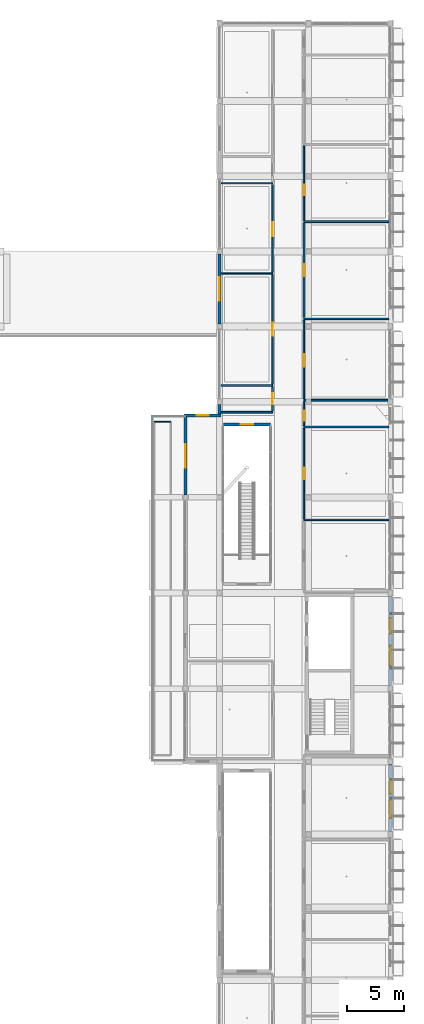
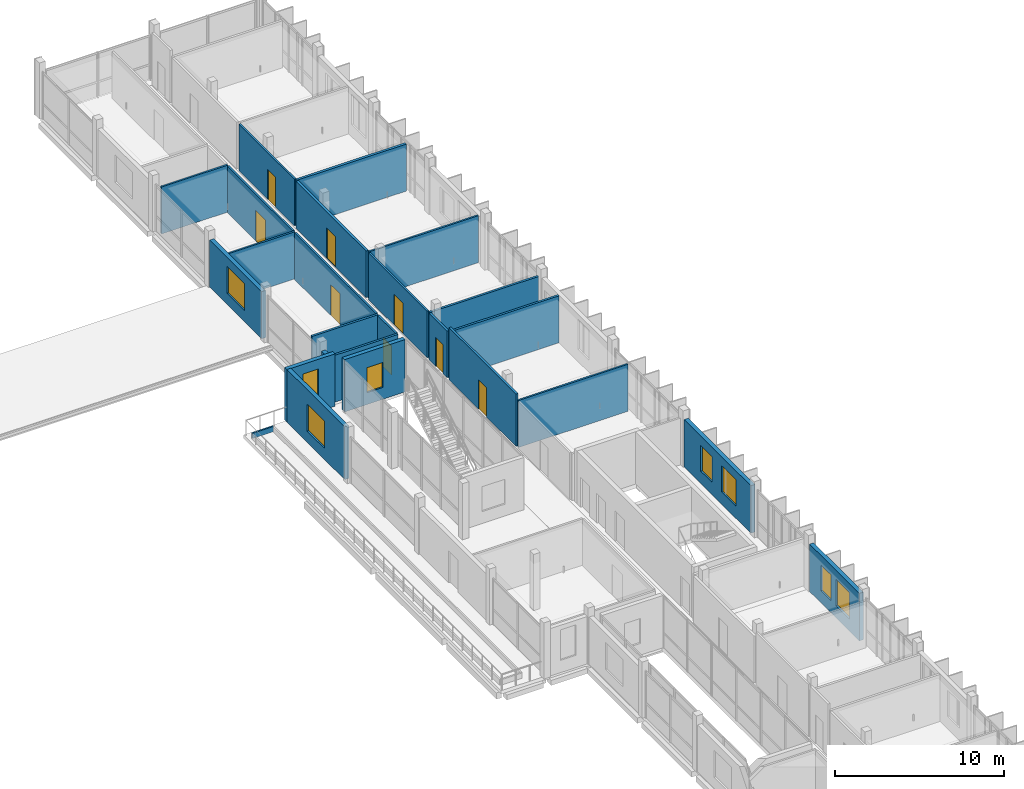
# One storey, part 61 of 86: 25 walls, 8 doors, 8 windows, 16 openings.
"""IFC4 building model written with IfcOpenShell, lengths in metres."""

from ifc_helpers import new_model, si_unit, derived_unit, direction, frame, frame_2d, origin, origin_with_axes, place, context, subcontext, project, spatial, rectangle, extrude, material, layer, layer_set, type_object, element, fill, save


model = new_model("IFC4")

# Units and contexts
model_context = context("Model", 3, precision=1e-05, world=origin(), true_north=direction((0.0, 1.0)))
body_context = subcontext(model_context, "Body", "Model", "MODEL_VIEW")
ifc_project = project(units=[si_unit("LENGTHUNIT", "METRE"), si_unit("AREAUNIT", "SQUARE_METRE"), si_unit("VOLUMEUNIT", "CUBIC_METRE"), si_unit("PLANEANGLEUNIT", "RADIAN"), si_unit("MASSUNIT", "GRAM", prefix="KILO"), derived_unit("THERMALTRANSMITTANCEUNIT", [(si_unit("POWERUNIT", "WATT"), 1), (si_unit("LENGTHUNIT", "METRE"), -2), (si_unit("THERMODYNAMICTEMPERATUREUNIT", "KELVIN"), -1)])], contexts=[model_context])

# Site, building, storey
site_placement = place(None, origin())
site = spatial("IfcSite", under=ifc_project, at=site_placement, CompositionType="ELEMENT")
building_placement = place(site_placement, origin())
building = spatial("IfcBuilding", under=site, at=building_placement, Name="Braskholm Square Health Centre", CompositionType="ELEMENT")
storey_placement = place(building_placement, frame((0.0, 0.0, 13.5)))
storey = spatial("IfcBuildingStorey", under=building, at=storey_placement, Name="L04", CompositionType="ELEMENT", Elevation=13.5)

# Wall, opening, door
ifc_material_1 = material(Name="Fire-rated gypsum board barrier")
ifc_layer_1 = layer(ifc_material_1, 0.175048828125)
ifc_layer_set_1 = layer_set([ifc_layer_1], Name="Fire-rated gypsum board barrier")
wall_type_1 = type_object("IfcWallType", Name="AmbulatoryFirePartition175", PredefinedType="PARTITIONING", material=ifc_layer_set_1)
wall_1_placement = place(storey_placement, frame((156.199951171875, 88.0, 0.0), z_axis=(0.0, 0.0, 1.0), x_axis=(0.0, 1.0, 0.0)))
wall_1 = element("IfcWall", 1, at=wall_1_placement, inside=storey, type_object=wall_type_1, Name="Interior partition PWALL-L04-0448", PredefinedType="PARTITIONING", context=body_context, shape_type="SweptSolid", body=[
    extrude(rectangle(XDim=8.2900390625, YDim=0.175048828125, at=frame_2d((4.14501953125, 0.0))), origin(), (0.0, 0.0, 1.0), 3.364990234375),
])
opening_1_placement = place(wall_1_placement, frame((3.614990234375, 0.0, 0.0)))
opening_1 = element("IfcOpeningElement", 2, at=opening_1_placement, cuts=wall_1, Name="Opening D-18", PredefinedType="OPENING", context=body_context, shape_type="SweptSolid", body=[
    extrude(rectangle(XDim=1.06005859375, YDim=2.199951171875, at=frame_2d((0.530029296875, 1.10009765625))), frame((0.0, 0.09765625, 0.0), z_axis=(0.0, -1.0, 0.0), x_axis=(1.0, 0.0, 0.0)), (0.0, 0.0, 1.0), 0.195068359375),
])
ifc_material_2 = material(Name="Architectural bronze anodised aluminium", Category="aluminium")
door_type_1 = type_object("IfcDoorType", Name="DoorFirePartitionSingle1060x2200", OperationType="NOTDEFINED", PredefinedType="DOOR", material=ifc_material_2)
door_1_placement = place(opening_1_placement, frame((1.06005859375, 0.0, 0.0), z_axis=(0.0, 0.0, 1.0), x_axis=(-1.0, 0.0, 0.0)))
door_1 = element("IfcDoor", 3, at=door_1_placement, inside=storey, type_object=door_type_1, Name="Interior door 0211 L04", OperationType="SINGLE_SWING_LEFT", OverallHeight=2.199951171875, OverallWidth=1.06005859375, PredefinedType="DOOR", context=body_context, shape_type="SweptSolid", body=[
    extrude(rectangle(XDim=1.06005859375, YDim=2.199951171875, at=frame_2d((0.530029296875, 1.10009765625))), frame((0.0, 0.02490234375, 0.0), z_axis=(0.0, -1.0, 0.0), x_axis=(1.0, 0.0, 0.0)), (0.0, 0.0, 1.0), 0.050048828125),
])
fill(opening_1, door_1)

# Walls
wall_2_placement = place(storey_placement, frame((156.199951171875, 96.409912109375, 0.0), z_axis=(0.0, 0.0, 1.0), x_axis=(1.0, 0.0, 0.0)))
element("IfcWall", 4, at=wall_2_placement, inside=storey, type_object=wall_type_1, Name="Interior partition PWALL-L04-0449", PredefinedType="PARTITIONING", context=body_context, shape_type="SweptSolid", body=[
    extrude(rectangle(XDim=7.4599609375, YDim=0.175048828125, at=frame_2d((3.72998046875, 0.0))), origin(), (0.0, 0.0, 1.0), 3.385009765625),
])
ifc_material_3 = material(Name="Acoustic gypsum board partition")
ifc_layer_2 = layer(ifc_material_3, 0.125)
ifc_layer_set_2 = layer_set([ifc_layer_2], Name="Acoustic gypsum board partition")
wall_type_2 = type_object("IfcWallType", Name="ClinicalExamPartition125", PredefinedType="PARTITIONING", material=ifc_layer_set_2)
wall_3_placement = place(storey_placement, frame((156.199951171875, 70.219970703125, 0.0), z_axis=(0.0, 0.0, 1.0), x_axis=(1.0, 0.0, 0.0)))
element("IfcWall", 5, at=wall_3_placement, inside=storey, type_object=wall_type_2, Name="Interior partition PWALL-L04-0441", PredefinedType="PARTITIONING", context=body_context, shape_type="SweptSolid", body=[
    extrude(rectangle(XDim=7.4599609375, YDim=0.125, at=frame_2d((3.72998046875, 0.0))), origin(), (0.0, 0.0, 1.0), 3.385009765625),
])

# Wall, opening, door
wall_4_placement = place(storey_placement, frame((156.199951171875, 80.840087890625, 0.0), z_axis=(0.0, 0.0, 1.0), x_axis=(0.0, 1.0, 0.0)))
wall_4 = element("IfcWall", 6, at=wall_4_placement, inside=storey, type_object=wall_type_2, Name="Interior partition PWALL-L04-0446", PredefinedType="PARTITIONING", context=body_context, shape_type="SweptSolid", body=[
    extrude(rectangle(XDim=6.919921875, YDim=0.125, at=frame_2d((3.4599609375, 0.0))), origin(), (0.0, 0.0, 1.0), 3.364990234375),
])
opening_2_placement = place(wall_4_placement, frame((2.824951171875, 0.0, 0.0)))
opening_2 = element("IfcOpeningElement", 7, at=opening_2_placement, cuts=wall_4, Name="Opening D-03", PredefinedType="OPENING", context=body_context, shape_type="SweptSolid", body=[
    extrude(rectangle(XDim=1.1201171875, YDim=2.199951171875, at=frame_2d((0.56005859375, 1.10009765625))), frame((0.0, 0.072509765625, 0.0), z_axis=(0.0, -1.0, 0.0), x_axis=(1.0, 0.0, 0.0)), (0.0, 0.0, 1.0), 0.14501953125),
])
door_type_2 = type_object("IfcDoorType", Name="DoorProcedure1120x2200", OperationType="NOTDEFINED", PredefinedType="DOOR", material=ifc_material_2)
door_2_placement = place(opening_2_placement, frame((1.1201171875, 0.0, 0.0), z_axis=(0.0, 0.0, 1.0), x_axis=(-1.0, 0.0, 0.0)))
door_2 = element("IfcDoor", 8, at=door_2_placement, inside=storey, type_object=door_type_2, Name="Interior door 0210 L04", OperationType="SINGLE_SWING_RIGHT", OverallHeight=2.199951171875, OverallWidth=1.1201171875, PredefinedType="DOOR", context=body_context, shape_type="SweptSolid", body=[
    extrude(rectangle(XDim=1.1201171875, YDim=2.199951171875, at=frame_2d((0.56005859375, 1.10009765625))), frame((0.0, 0.02490234375, 0.0), z_axis=(0.0, -1.0, 0.0), x_axis=(1.0, 0.0, 0.0)), (0.0, 0.0, 1.0), 0.050048828125),
])
fill(opening_2, door_2)

# Wall
wall_5_placement = place(storey_placement, frame((156.199951171875, 87.8798828125, 0.0), z_axis=(0.0, 0.0, 1.0), x_axis=(1.0, 0.0, 0.0)))
element("IfcWall", 9, at=wall_5_placement, inside=storey, type_object=wall_type_2, Name="Interior partition PWALL-L04-0447", PredefinedType="PARTITIONING", context=body_context, shape_type="SweptSolid", body=[
    extrude(rectangle(XDim=7.4599609375, YDim=0.125, at=frame_2d((3.72998046875, 0.0))), origin(), (0.0, 0.0, 1.0), 3.385009765625),
])

# Wall, opening, door
wall_6_placement = place(storey_placement, frame((156.199951171875, 96.530029296875, 0.0), z_axis=(0.0, 0.0, 1.0), x_axis=(0.0, 1.0, 0.0)))
wall_6 = element("IfcWall", 10, at=wall_6_placement, inside=storey, type_object=wall_type_2, Name="Interior partition PWALL-L04-0450", PredefinedType="PARTITIONING", context=body_context, shape_type="SweptSolid", body=[
    extrude(rectangle(XDim=6.5400390625, YDim=0.125, at=frame_2d((3.27001953125, 0.0))), origin(), (0.0, 0.0, 1.0), 3.364990234375),
])
opening_3_placement = place(wall_6_placement, frame((2.2099609375, 0.0, 0.0)))
opening_3 = element("IfcOpeningElement", 11, at=opening_3_placement, cuts=wall_6, Name="Opening D-01", PredefinedType="OPENING", context=body_context, shape_type="SweptSolid", body=[
    extrude(rectangle(XDim=0.919921875, YDim=2.14990234375, at=frame_2d((0.4599609375, 1.074951171875))), frame((0.0, 0.072509765625, 0.0), z_axis=(0.0, -1.0, 0.0), x_axis=(1.0, 0.0, 0.0)), (0.0, 0.0, 1.0), 0.14501953125),
])
door_type_3 = type_object("IfcDoorType", Name="DoorConsultSingle920x2150", OperationType="NOTDEFINED", PredefinedType="DOOR", material=ifc_material_2)
door_3_placement = place(opening_3_placement, frame((0.919921875, 0.0, 0.0), z_axis=(0.0, 0.0, 1.0), x_axis=(-1.0, 0.0, 0.0)))
door_3 = element("IfcDoor", 12, at=door_3_placement, inside=storey, type_object=door_type_3, Name="Interior door 0212 L04", OperationType="SINGLE_SWING_RIGHT", OverallHeight=2.14990234375, OverallWidth=0.919921875, PredefinedType="DOOR", context=body_context, shape_type="SweptSolid", body=[
    extrude(rectangle(XDim=0.919921875, YDim=2.14990234375, at=frame_2d((0.4599609375, 1.074951171875))), frame((0.0, 0.02490234375, 0.0), z_axis=(0.0, -1.0, 0.0), x_axis=(1.0, 0.0, 0.0)), (0.0, 0.0, 1.0), 0.050048828125),
])
fill(opening_3, door_3)

wall_7_placement = place(storey_placement, frame((153.449951171875, 82.14990234375, 0.0), z_axis=(0.0, 0.0, 1.0), x_axis=(0.0, 1.0, 0.0)))
wall_7 = element("IfcWall", 13, at=wall_7_placement, inside=storey, type_object=wall_type_2, Name="Interior partition PWALL-L04-0469", PredefinedType="PARTITIONING", context=body_context, shape_type="SweptSolid", body=[
    extrude(rectangle(XDim=9.590087890625, YDim=0.125, at=frame_2d((4.794921875, 0.0))), origin(), (0.0, 0.0, 1.0), 3.364990234375),
])
opening_4_placement = place(wall_7_placement, frame((4.22509765625, 0.0, 0.0)))
opening_4 = element("IfcOpeningElement", 14, at=opening_4_placement, cuts=wall_7, Name="Opening D-26", PredefinedType="OPENING", context=body_context, shape_type="SweptSolid", body=[
    extrude(rectangle(XDim=1.139892578125, YDim=2.219970703125, at=frame_2d((0.56982421875, 1.10986328125))), frame((0.0, 0.072509765625, 0.0), z_axis=(0.0, -1.0, 0.0), x_axis=(1.0, 0.0, 0.0)), (0.0, 0.0, 1.0), 0.14501953125),
])
door_type_4 = type_object("IfcDoorType", Name="DoorExamWide1140x2220", OperationType="NOTDEFINED", PredefinedType="DOOR", material=ifc_material_2)
door_4_placement = place(opening_4_placement, origin_with_axes())
door_4 = element("IfcDoor", 15, at=door_4_placement, inside=storey, type_object=door_type_4, Name="Interior door 0221 L04", OperationType="SINGLE_SWING_LEFT", OverallHeight=2.219970703125, OverallWidth=1.139892578125, PredefinedType="DOOR", context=body_context, shape_type="SweptSolid", body=[
    extrude(rectangle(XDim=1.139892578125, YDim=2.219970703125, at=frame_2d((0.56982421875, 1.10986328125))), frame((0.0, 0.02490234375, 0.0), z_axis=(0.0, -1.0, 0.0), x_axis=(1.0, 0.0, 0.0)), (0.0, 0.0, 1.0), 0.050048828125),
])
fill(opening_4, door_4)

# Wall
wall_8_placement = place(storey_placement, frame((148.93994140625, 91.860107421875, 0.0), z_axis=(0.0, 0.0, 1.0), x_axis=(1.0, 0.0, 0.0)))
element("IfcWall", 16, at=wall_8_placement, inside=storey, type_object=wall_type_2, Name="Interior partition PWALL-L04-0470", PredefinedType="PARTITIONING", context=body_context, shape_type="SweptSolid", body=[
    extrude(rectangle(XDim=4.510009765625, YDim=0.125, at=frame_2d((2.2548828125, 0.0))), origin(), (0.0, 0.0, 1.0), 3.385009765625),
])

# Wall, opening, door
wall_9_placement = place(storey_placement, frame((153.449951171875, 91.97998046875, 0.0), z_axis=(0.0, 0.0, 1.0), x_axis=(0.0, 1.0, 0.0)))
wall_9 = element("IfcWall", 17, at=wall_9_placement, inside=storey, type_object=wall_type_2, Name="Interior partition PWALL-L04-0471", PredefinedType="PARTITIONING", context=body_context, shape_type="SweptSolid", body=[
    extrude(rectangle(XDim=7.679931640625, YDim=0.125, at=frame_2d((3.83984375, 0.0))), origin(), (0.0, 0.0, 1.0), 3.364990234375),
])
opening_5_placement = place(wall_9_placement, frame((3.154052734375, 0.0, 0.0)))
opening_5 = element("IfcOpeningElement", 18, at=opening_5_placement, cuts=wall_9, Name="Opening D-04", PredefinedType="OPENING", context=body_context, shape_type="SweptSolid", body=[
    extrude(rectangle(XDim=1.219970703125, YDim=2.199951171875, at=frame_2d((0.60986328125, 1.10009765625))), frame((0.0, 0.072509765625, 0.0), z_axis=(0.0, -1.0, 0.0), x_axis=(1.0, 0.0, 0.0)), (0.0, 0.0, 1.0), 0.14501953125),
])
door_type_5 = type_object("IfcDoorType", Name="DoorBariatricExam1220x2200", OperationType="NOTDEFINED", PredefinedType="DOOR", material=ifc_material_2)
door_5_placement = place(opening_5_placement, origin_with_axes())
door_5 = element("IfcDoor", 19, at=door_5_placement, inside=storey, type_object=door_type_5, Name="Interior door 0222 L04", OperationType="SINGLE_SWING_RIGHT", OverallHeight=2.199951171875, OverallWidth=1.219970703125, PredefinedType="DOOR", context=body_context, shape_type="SweptSolid", body=[
    extrude(rectangle(XDim=1.219970703125, YDim=2.199951171875, at=frame_2d((0.60986328125, 1.10009765625))), frame((0.0, 0.02490234375, 0.0), z_axis=(0.0, -1.0, 0.0), x_axis=(1.0, 0.0, 0.0)), (0.0, 0.0, 1.0), 0.050048828125),
])
fill(opening_5, door_5)

# Wall
wall_10_placement = place(storey_placement, frame((148.93994140625, 99.780029296875, 0.0), z_axis=(0.0, 0.0, 1.0), x_axis=(1.0, 0.0, 0.0)))
element("IfcWall", 20, at=wall_10_placement, inside=storey, type_object=wall_type_2, Name="Interior partition PWALL-L04-0472", PredefinedType="PARTITIONING", context=body_context, shape_type="SweptSolid", body=[
    extrude(rectangle(XDim=4.510009765625, YDim=0.125, at=frame_2d((2.2548828125, 0.0))), origin(), (0.0, 0.0, 1.0), 3.385009765625),
])

# Wall, opening, door
ifc_layer_3 = layer(ifc_material_3, 0.14990234375)
ifc_layer_set_3 = layer_set([ifc_layer_3], Name="Acoustic gypsum board partition")
wall_type_3 = type_object("IfcWallType", Name="CorridorAcousticPartition150", PredefinedType="PARTITIONING", material=ifc_layer_set_3)
wall_11_placement = place(storey_placement, frame((156.199951171875, 70.340087890625, 0.0), z_axis=(0.0, 0.0, 1.0), x_axis=(0.0, 1.0, 0.0)))
wall_11 = element("IfcWall", 21, at=wall_11_placement, inside=storey, type_object=wall_type_3, Name="Interior partition PWALL-L04-0442", PredefinedType="PARTITIONING", context=body_context, shape_type="SweptSolid", body=[
    extrude(rectangle(XDim=7.909912109375, YDim=0.14990234375, at=frame_2d((3.955078125, 0.0))), origin(), (0.0, 0.0, 1.0), 3.764892578125),
])
opening_6_placement = place(wall_11_placement, frame((3.465087890625, 0.0, 0.0)))
opening_6 = element("IfcOpeningElement", 22, at=opening_6_placement, cuts=wall_11, Name="Opening D-10", PredefinedType="OPENING", context=body_context, shape_type="SweptSolid", body=[
    extrude(rectangle(XDim=0.97998046875, YDim=2.1201171875, at=frame_2d((0.489990234375, 1.06005859375))), frame((0.0, 0.0849609375, 0.0), z_axis=(0.0, -1.0, 0.0), x_axis=(1.0, 0.0, 0.0)), (0.0, 0.0, 1.0), 0.169921875),
])
door_type_6 = type_object("IfcDoorType", Name="DoorUtilityStore980x2120", OperationType="NOTDEFINED", PredefinedType="DOOR", material=ifc_material_2)
door_6_placement = place(opening_6_placement, frame((0.97998046875, 0.0, 0.0), z_axis=(0.0, 0.0, 1.0), x_axis=(-1.0, 0.0, 0.0)))
door_6 = element("IfcDoor", 23, at=door_6_placement, inside=storey, type_object=door_type_6, Name="Interior door 0208 L04", OperationType="SINGLE_SWING_RIGHT", OverallHeight=2.1201171875, OverallWidth=0.97998046875, PredefinedType="DOOR", context=body_context, shape_type="SweptSolid", body=[
    extrude(rectangle(XDim=0.97998046875, YDim=2.1201171875, at=frame_2d((0.489990234375, 1.06005859375))), frame((0.0, 0.02490234375, 0.0), z_axis=(0.0, -1.0, 0.0), x_axis=(1.0, 0.0, 0.0)), (0.0, 0.0, 1.0), 0.050048828125),
])
fill(opening_6, door_6)

# Wall
wall_12_placement = place(storey_placement, frame((156.199951171875, 78.3701171875, 0.0), z_axis=(0.0, 0.0, 1.0), x_axis=(1.0, 0.0, 0.0)))
element("IfcWall", 24, at=wall_12_placement, inside=storey, type_object=wall_type_3, Name="Interior partition PWALL-L04-0443", PredefinedType="PARTITIONING", context=body_context, shape_type="SweptSolid", body=[
    extrude(rectangle(XDim=7.4599609375, YDim=0.14990234375, at=frame_2d((3.72998046875, 0.0))), origin(), (0.0, 0.0, 1.0), 3.385009765625),
])

# Wall, opening, door
wall_13_placement = place(storey_placement, frame((156.199951171875, 78.489990234375, 0.0), z_axis=(0.0, 0.0, 1.0), x_axis=(0.0, 1.0, 0.0)))
wall_13 = element("IfcWall", 25, at=wall_13_placement, inside=storey, type_object=wall_type_3, Name="Interior partition PWALL-L04-0444", PredefinedType="PARTITIONING", context=body_context, shape_type="SweptSolid", body=[
    extrude(rectangle(XDim=2.110107421875, YDim=0.14990234375, at=frame_2d((1.05517578125, 0.0))), origin(), (0.0, 0.0, 1.0), 3.364990234375),
])
opening_7_placement = place(wall_13_placement, frame((0.43798828125, 0.0, 0.0)))
opening_7 = element("IfcOpeningElement", 26, at=opening_7_placement, cuts=wall_13, Name="Opening D-06", PredefinedType="OPENING", context=body_context, shape_type="SweptSolid", body=[
    extrude(rectangle(XDim=0.8798828125, YDim=2.10009765625, at=frame_2d((0.43994140625, 1.050048828125))), frame((0.0, 0.0849609375, 0.0), z_axis=(0.0, -1.0, 0.0), x_axis=(1.0, 0.0, 0.0)), (0.0, 0.0, 1.0), 0.169921875),
])
door_type_7 = type_object("IfcDoorType", Name="DoorStaffWC880x2100", OperationType="NOTDEFINED", PredefinedType="DOOR", material=ifc_material_2)
door_7_placement = place(opening_7_placement, frame((0.8798828125, 0.0, 0.0), z_axis=(0.0, 0.0, 1.0), x_axis=(-1.0, 0.0, 0.0)))
door_7 = element("IfcDoor", 27, at=door_7_placement, inside=storey, type_object=door_type_7, Name="Interior door 0209 L04", OperationType="SINGLE_SWING_LEFT", OverallHeight=2.10009765625, OverallWidth=0.8798828125, PredefinedType="DOOR", context=body_context, shape_type="SweptSolid", body=[
    extrude(rectangle(XDim=0.8798828125, YDim=2.10009765625, at=frame_2d((0.43994140625, 1.050048828125))), frame((0.0, 0.02490234375, 0.0), z_axis=(0.0, -1.0, 0.0), x_axis=(1.0, 0.0, 0.0)), (0.0, 0.0, 1.0), 0.050048828125),
])
fill(opening_7, door_7)

# Wall
wall_14_placement = place(storey_placement, frame((156.199951171875, 80.719970703125, 0.0), z_axis=(0.0, 0.0, 1.0), x_axis=(1.0, 0.0, 0.0)))
element("IfcWall", 28, at=wall_14_placement, inside=storey, type_object=wall_type_3, Name="Interior partition PWALL-L04-0445", PredefinedType="PARTITIONING", context=body_context, shape_type="SweptSolid", body=[
    extrude(rectangle(XDim=7.4599609375, YDim=0.14990234375, at=frame_2d((3.72998046875, 0.0))), origin(), (0.0, 0.0, 1.0), 3.364990234375),
])

# Wall, opening, door
wall_15_placement = place(storey_placement, frame((153.449951171875, 79.800048828125, 0.0), z_axis=(0.0, 0.0, 1.0), x_axis=(0.0, 1.0, 0.0)))
wall_15 = element("IfcWall", 29, at=wall_15_placement, inside=storey, type_object=wall_type_3, Name="Interior partition PWALL-L04-0466", PredefinedType="PARTITIONING", context=body_context, shape_type="SweptSolid", body=[
    extrude(rectangle(XDim=2.10986328125, YDim=0.14990234375, at=frame_2d((1.054931640625, 0.0))), origin(), (0.0, 0.0, 1.0), 3.364990234375),
])
opening_8_placement = place(wall_15_placement, frame((0.574951171875, 0.0, 0.0)))
opening_8 = element("IfcOpeningElement", 30, at=opening_8_placement, cuts=wall_15, Name="Opening D-05", PredefinedType="OPENING", context=body_context, shape_type="SweptSolid", body=[
    extrude(rectangle(XDim=0.9599609375, YDim=2.10009765625, at=frame_2d((0.47998046875, 1.050048828125))), frame((0.0, 0.0849609375, 0.0), z_axis=(0.0, -1.0, 0.0), x_axis=(1.0, 0.0, 0.0)), (0.0, 0.0, 1.0), 0.169921875),
])
door_type_8 = type_object("IfcDoorType", Name="DoorAccessibleWC960x2100", OperationType="NOTDEFINED", PredefinedType="DOOR", material=ifc_material_2)
door_8_placement = place(opening_8_placement, origin_with_axes())
door_8 = element("IfcDoor", 31, at=door_8_placement, inside=storey, type_object=door_type_8, Name="Interior door 0220 L04", OperationType="SINGLE_SWING_RIGHT", OverallHeight=2.10009765625, OverallWidth=0.9599609375, PredefinedType="DOOR", context=body_context, shape_type="SweptSolid", body=[
    extrude(rectangle(XDim=0.9599609375, YDim=2.10009765625, at=frame_2d((0.47998046875, 1.050048828125))), frame((0.0, 0.02490234375, 0.0), z_axis=(0.0, -1.0, 0.0), x_axis=(1.0, 0.0, 0.0)), (0.0, 0.0, 1.0), 0.050048828125),
])
fill(opening_8, door_8)

# Walls
for number, where, z_axis, x_axis, name in (
    (32, (148.93994140625, 79.679931640625, 0.0), (0.0, 0.0, 1.0), (1.0, 0.0, 0.0), "Interior partition PWALL-L04-0467"),
    (33, (148.93994140625, 82.030029296875, 0.0), (0.0, 0.0, 1.0), (1.0, 0.0, 0.0), "Interior partition PWALL-L04-0468"),
):
    element("IfcWall", number, at=place(storey_placement, frame(where, z_axis=z_axis, x_axis=x_axis)), inside=storey, type_object=wall_type_3, Name=name, PredefinedType="PARTITIONING", context=body_context, shape_type="SweptSolid", body=[
        extrude(rectangle(XDim=4.510009765625, YDim=0.14990234375, at=frame_2d((2.2548828125, 0.0))), origin(), (0.0, 0.0, 1.0), 3.385009765625),
    ])

# Wall, openings, windows
ifc_material_4 = material(Name="Precast concrete C40/50 architectural white", Category="concrete")
ifc_layer_4 = layer(ifc_material_4, 0.280029296875)
ifc_layer_set_4 = layer_set([ifc_layer_4], Name="Precast concrete C40/50 architectural white")
wall_type_4 = type_object("IfcWallType", Name="ExteriorPrecastSpandrelWall280", PredefinedType="SOLIDWALL", material=ifc_layer_set_4)
wall_16_placement = place(storey_placement, frame((163.800048828125, 42.862060546875, 0.0), z_axis=(0.0, 0.0, 1.0), x_axis=(0.0, 1.0, 0.0)))
wall_16 = element("IfcWall", 34, at=wall_16_placement, inside=storey, type_object=wall_type_4, Name="Exterior wall EWALL-L04-0081", PredefinedType="SOLIDWALL", context=body_context, shape_type="SweptSolid", body=[
    extrude(rectangle(XDim=5.8759765625, YDim=0.280029296875, at=frame_2d((2.93798828125, 0.0))), origin(), (0.0, 0.0, 1.0), 3.419921875),
])
opening_9_placement = place(wall_16_placement, frame((1.1689453125, 0.0, 0.8798828125)))
opening_9 = element("IfcOpeningElement", 35, at=opening_9_placement, cuts=wall_16, Name="Opening WN-37", PredefinedType="OPENING", context=body_context, shape_type="SweptSolid", body=[
    extrude(rectangle(XDim=1.580078125, YDim=1.89990234375, at=frame_2d((0.7900390625, 0.949951171875))), frame((0.0, 0.14990234375, 0.0), z_axis=(0.0, -1.0, 0.0), x_axis=(1.0, 0.0, 0.0)), (0.0, 0.0, 1.0), 0.300048828125),
])
opening_10_placement = place(wall_16_placement, frame((3.31689453125, 0.0, 0.8798828125)))
opening_10 = element("IfcOpeningElement", 36, at=opening_10_placement, cuts=wall_16, Name="Opening WN-07", PredefinedType="OPENING", context=body_context, shape_type="SweptSolid", body=[
    extrude(rectangle(XDim=1.199951171875, YDim=1.85009765625, at=frame_2d((0.60009765625, 0.925048828125))), frame((0.0, 0.14990234375, 0.0), z_axis=(0.0, -1.0, 0.0), x_axis=(1.0, 0.0, 0.0)), (0.0, 0.0, 1.0), 0.300048828125),
])
ifc_material_5 = material(Name="Low-E triple insulating glass (VLT 0.64)", Category="glass")
window_type_1 = type_object("IfcWindowType", Name="WinArtDecoWide1580x1900", PartitioningType="SINGLE_PANEL", PredefinedType="WINDOW", material=ifc_material_5)
window_1_placement = place(opening_9_placement, origin_with_axes())
window_1 = element("IfcWindow", 37, at=window_1_placement, inside=storey, type_object=window_type_1, Name="Exterior window 0143 L04", OverallHeight=1.89990234375, OverallWidth=1.580078125, PartitioningType="SINGLE_PANEL", PredefinedType="WINDOW", context=body_context, shape_type="SweptSolid", body=[
    extrude(rectangle(XDim=1.580078125, YDim=1.89990234375, at=frame_2d((0.7900390625, 0.949951171875))), frame((0.0, 0.030029296875, 0.0), z_axis=(0.0, -1.0, 0.0), x_axis=(1.0, 0.0, 0.0)), (0.0, 0.0, 1.0), 0.06005859375),
])
fill(opening_9, window_1)
window_type_2 = type_object("IfcWindowType", Name="WinClinicalBay1200x1850", PartitioningType="SINGLE_PANEL", PredefinedType="WINDOW", material=ifc_material_5)
window_2_placement = place(opening_10_placement, origin_with_axes())
window_2 = element("IfcWindow", 38, at=window_2_placement, inside=storey, type_object=window_type_2, Name="Exterior window 0144 L04", OverallHeight=1.85009765625, OverallWidth=1.199951171875, PartitioningType="SINGLE_PANEL", PredefinedType="WINDOW", context=body_context, shape_type="SweptSolid", body=[
    extrude(rectangle(XDim=1.199951171875, YDim=1.85009765625, at=frame_2d((0.60009765625, 0.925048828125))), frame((0.0, 0.030029296875, 0.0), z_axis=(0.0, -1.0, 0.0), x_axis=(1.0, 0.0, 0.0)), (0.0, 0.0, 1.0), 0.06005859375),
])
fill(opening_10, window_2)

wall_17_placement = place(storey_placement, frame((163.800048828125, 55.662109375, 0.0), z_axis=(0.0, 0.0, 1.0), x_axis=(0.0, 1.0, 0.0)))
wall_17 = element("IfcWall", 39, at=wall_17_placement, inside=storey, type_object=wall_type_4, Name="Exterior wall EWALL-L04-0082", PredefinedType="SOLIDWALL", context=body_context, shape_type="SweptSolid", body=[
    extrude(rectangle(XDim=7.8759765625, YDim=0.280029296875, at=frame_2d((3.93798828125, 0.0))), origin(), (0.0, 0.0, 1.0), 3.419921875),
])
opening_11_placement = place(wall_17_placement, frame((1.7548828125, 0.0, 0.8798828125)))
opening_11 = element("IfcOpeningElement", 40, at=opening_11_placement, cuts=wall_17, Name="Opening WN-38", PredefinedType="OPENING", context=body_context, shape_type="SweptSolid", body=[
    extrude(rectangle(XDim=1.739990234375, YDim=1.89990234375, at=frame_2d((0.8701171875, 0.949951171875))), frame((0.0, 0.14990234375, 0.0), z_axis=(0.0, -1.0, 0.0), x_axis=(1.0, 0.0, 0.0)), (0.0, 0.0, 1.0), 0.300048828125),
])
opening_12_placement = place(wall_17_placement, frame((4.575927734375, 0.0, 0.8798828125)))
opening_12 = element("IfcOpeningElement", 41, at=opening_12_placement, cuts=wall_17, Name="Opening WN-08", PredefinedType="OPENING", context=body_context, shape_type="SweptSolid", body=[
    extrude(rectangle(XDim=1.35009765625, YDim=1.85009765625, at=frame_2d((0.675048828125, 0.925048828125))), frame((0.0, 0.14990234375, 0.0), z_axis=(0.0, -1.0, 0.0), x_axis=(1.0, 0.0, 0.0)), (0.0, 0.0, 1.0), 0.300048828125),
])
window_type_3 = type_object("IfcWindowType", Name="WinArtDecoWide1740x1900", PartitioningType="SINGLE_PANEL", PredefinedType="WINDOW", material=ifc_material_5)
window_3_placement = place(opening_11_placement, origin_with_axes())
window_3 = element("IfcWindow", 42, at=window_3_placement, inside=storey, type_object=window_type_3, Name="Exterior window 0145 L04", OverallHeight=1.89990234375, OverallWidth=1.739990234375, PartitioningType="SINGLE_PANEL", PredefinedType="WINDOW", context=body_context, shape_type="SweptSolid", body=[
    extrude(rectangle(XDim=1.739990234375, YDim=1.89990234375, at=frame_2d((0.8701171875, 0.949951171875))), frame((0.0, 0.030029296875, 0.0), z_axis=(0.0, -1.0, 0.0), x_axis=(1.0, 0.0, 0.0)), (0.0, 0.0, 1.0), 0.06005859375),
])
fill(opening_11, window_3)
window_type_4 = type_object("IfcWindowType", Name="WinClinicalBay1350x1850", PartitioningType="SINGLE_PANEL", PredefinedType="WINDOW", material=ifc_material_5)
window_4_placement = place(opening_12_placement, origin_with_axes())
window_4 = element("IfcWindow", 43, at=window_4_placement, inside=storey, type_object=window_type_4, Name="Exterior window 0146 L04", OverallHeight=1.85009765625, OverallWidth=1.35009765625, PartitioningType="SINGLE_PANEL", PredefinedType="WINDOW", context=body_context, shape_type="SweptSolid", body=[
    extrude(rectangle(XDim=1.35009765625, YDim=1.85009765625, at=frame_2d((0.675048828125, 0.925048828125))), frame((0.0, 0.030029296875, 0.0), z_axis=(0.0, -1.0, 0.0), x_axis=(1.0, 0.0, 0.0)), (0.0, 0.0, 1.0), 0.06005859375),
])
fill(opening_12, window_4)

# Wall, opening, window
wall_18_placement = place(storey_placement, frame((145.800048828125, 79.258056640625, 0.0), z_axis=(0.0, 0.0, 1.0), x_axis=(0.0, -1.0, 0.0)))
wall_18 = element("IfcWall", 44, at=wall_18_placement, inside=storey, type_object=wall_type_4, Name="Exterior wall EWALL-L04-0197", PredefinedType="SOLIDWALL", context=body_context, shape_type="SweptSolid", body=[
    extrude(rectangle(XDim=6.8310546875, YDim=0.280029296875, at=frame_2d((3.41552734375, 0.0))), origin(), (0.0, 0.0, 1.0), 3.800048828125),
])
opening_13_placement = place(wall_18_placement, frame((2.389892578125, 0.0, 0.800048828125)))
opening_13 = element("IfcOpeningElement", 45, at=opening_13_placement, cuts=wall_18, Name="Opening WN-25", PredefinedType="OPENING", context=body_context, shape_type="SweptSolid", body=[
    extrude(rectangle(XDim=2.050048828125, YDim=1.949951171875, at=frame_2d((1.02490234375, 0.97509765625))), frame((0.0, 0.14990234375, 0.0), z_axis=(0.0, -1.0, 0.0), x_axis=(1.0, 0.0, 0.0)), (0.0, 0.0, 1.0), 0.300048828125),
])
window_type_5 = type_object("IfcWindowType", Name="WinValleyTerrace2050x1950", PartitioningType="SINGLE_PANEL", PredefinedType="WINDOW", material=ifc_material_5)
window_5_placement = place(opening_13_placement, origin_with_axes())
window_5 = element("IfcWindow", 46, at=window_5_placement, inside=storey, type_object=window_type_5, Name="Exterior window 0250 L04", OverallHeight=1.949951171875, OverallWidth=2.050048828125, PartitioningType="SINGLE_PANEL", PredefinedType="WINDOW", context=body_context, shape_type="SweptSolid", body=[
    extrude(rectangle(XDim=2.050048828125, YDim=1.949951171875, at=frame_2d((1.02490234375, 0.97509765625))), frame((0.0, 0.030029296875, 0.0), z_axis=(0.0, -1.0, 0.0), x_axis=(1.0, 0.0, 0.0)), (0.0, 0.0, 1.0), 0.06005859375),
])
fill(opening_13, window_5)

# Wall
wall_19_placement = place(storey_placement, frame((148.800048828125, 80.373046875, 0.0), z_axis=(0.0, 0.0, 1.0), x_axis=(0.0, -1.0, 0.0)))
element("IfcWall", 47, at=wall_19_placement, inside=storey, type_object=wall_type_4, Name="Exterior wall EWALL-L04-0198", PredefinedType="SOLIDWALL", context=body_context, shape_type="SweptSolid", body=[
    extrude(rectangle(XDim=0.8310546875, YDim=0.280029296875, at=frame_2d((0.41552734375, 0.0))), origin(), (0.0, 0.0, 1.0), 3.389892578125),
])

# Wall, opening, window
wall_20_placement = place(storey_placement, frame((148.800048828125, 93.572998046875, 0.0), z_axis=(0.0, 0.0, 1.0), x_axis=(0.0, -1.0, 0.0)))
wall_20 = element("IfcWall", 48, at=wall_20_placement, inside=storey, type_object=wall_type_4, Name="Exterior wall EWALL-L04-0199", PredefinedType="SOLIDWALL", context=body_context, shape_type="SweptSolid", body=[
    extrude(rectangle(XDim=6.14599609375, YDim=0.280029296875, at=frame_2d((3.072998046875, 0.0))), origin(), (0.0, 0.0, 1.0), 3.389892578125),
])
opening_14_placement = place(wall_20_placement, frame((2.048095703125, 0.0, 0.800048828125)))
opening_14 = element("IfcOpeningElement", 49, at=opening_14_placement, cuts=wall_20, Name="Opening WN-25", PredefinedType="OPENING", context=body_context, shape_type="SweptSolid", body=[
    extrude(rectangle(XDim=2.050048828125, YDim=1.949951171875, at=frame_2d((1.02490234375, 0.97509765625))), frame((0.0, 0.14990234375, 0.0), z_axis=(0.0, -1.0, 0.0), x_axis=(1.0, 0.0, 0.0)), (0.0, 0.0, 1.0), 0.300048828125),
])
window_6_placement = place(opening_14_placement, origin_with_axes())
window_6 = element("IfcWindow", 50, at=window_6_placement, inside=storey, type_object=window_type_5, Name="Exterior window 0251 L04", OverallHeight=1.949951171875, OverallWidth=2.050048828125, PartitioningType="SINGLE_PANEL", PredefinedType="WINDOW", context=body_context, shape_type="SweptSolid", body=[
    extrude(rectangle(XDim=2.050048828125, YDim=1.949951171875, at=frame_2d((1.02490234375, 0.97509765625))), frame((0.0, 0.030029296875, 0.0), z_axis=(0.0, -1.0, 0.0), x_axis=(1.0, 0.0, 0.0)), (0.0, 0.0, 1.0), 0.06005859375),
])
fill(opening_14, window_6)

wall_21_placement = place(storey_placement, frame((148.93994140625, 79.39990234375, 0.0), z_axis=(0.0, 0.0, 1.0), x_axis=(-1.0, 0.0, 0.0)))
wall_21 = element("IfcWall", 51, at=wall_21_placement, inside=storey, type_object=wall_type_4, Name="Exterior wall EWALL-L04-0224", PredefinedType="SOLIDWALL", context=body_context, shape_type="SweptSolid", body=[
    extrude(rectangle(XDim=3.280029296875, YDim=0.280029296875, at=frame_2d((1.64013671875, 0.0))), origin(), (0.0, 0.0, 1.0), 3.77001953125),
])
opening_15_placement = place(wall_21_placement, frame((1.114990234375, 0.0, 0.8798828125)))
opening_15 = element("IfcOpeningElement", 52, at=opening_15_placement, cuts=wall_21, Name="Opening WN-02", PredefinedType="OPENING", context=body_context, shape_type="SweptSolid", body=[
    extrude(rectangle(XDim=1.050048828125, YDim=2.199951171875, at=frame_2d((0.52490234375, 1.10009765625))), frame((0.0, 0.14990234375, 0.0), z_axis=(0.0, -1.0, 0.0), x_axis=(1.0, 0.0, 0.0)), (0.0, 0.0, 1.0), 0.300048828125),
])
window_type_6 = type_object("IfcWindowType", Name="WinArtDecoLancet1050x2200", PartitioningType="SINGLE_PANEL", PredefinedType="WINDOW", material=ifc_material_5)
window_7_placement = place(opening_15_placement, origin_with_axes())
window_7 = element("IfcWindow", 53, at=window_7_placement, inside=storey, type_object=window_type_6, Name="Exterior window 0279 L04", OverallHeight=2.199951171875, OverallWidth=1.050048828125, PartitioningType="SINGLE_PANEL", PredefinedType="WINDOW", context=body_context, shape_type="SweptSolid", body=[
    extrude(rectangle(XDim=1.050048828125, YDim=2.199951171875, at=frame_2d((0.52490234375, 1.10009765625))), frame((0.0, 0.030029296875, 0.0), z_axis=(0.0, -1.0, 0.0), x_axis=(1.0, 0.0, 0.0)), (0.0, 0.0, 1.0), 0.06005859375),
])
fill(opening_15, window_7)

wall_22_placement = place(storey_placement, frame((149.134033203125, 78.60009765625, 0.0), z_axis=(0.0, 0.0, 1.0), x_axis=(1.0, 0.0, 0.0)))
wall_22 = element("IfcWall", 54, at=wall_22_placement, inside=storey, type_object=wall_type_4, Name="Exterior wall EWALL-L04-0324", PredefinedType="SOLIDWALL", context=body_context, shape_type="SweptSolid", body=[
    extrude(rectangle(XDim=4.132080078125, YDim=0.280029296875, at=frame_2d((2.06591796875, 0.0))), origin(), (0.0, 0.0, 1.0), 3.77001953125),
])
opening_16_placement = place(wall_22_placement, frame((1.51611328125, 0.0, 0.85009765625)))
opening_16 = element("IfcOpeningElement", 55, at=opening_16_placement, cuts=wall_22, Name="Opening WN-26", PredefinedType="OPENING", context=body_context, shape_type="SweptSolid", body=[
    extrude(rectangle(XDim=1.10009765625, YDim=1.800048828125, at=frame_2d((0.550048828125, 0.89990234375))), frame((0.0, 0.14990234375, 0.0), z_axis=(0.0, -1.0, 0.0), x_axis=(1.0, 0.0, 0.0)), (0.0, 0.0, 1.0), 0.300048828125),
])
window_type_7 = type_object("IfcWindowType", Name="WinLightCourt1100x1800", PartitioningType="SINGLE_PANEL", PredefinedType="WINDOW", material=ifc_material_5)
window_8_placement = place(opening_16_placement, origin_with_axes())
window_8 = element("IfcWindow", 56, at=window_8_placement, inside=storey, type_object=window_type_7, Name="Exterior window 0370 L04", OverallHeight=1.800048828125, OverallWidth=1.10009765625, PartitioningType="SINGLE_PANEL", PredefinedType="WINDOW", context=body_context, shape_type="SweptSolid", body=[
    extrude(rectangle(XDim=1.10009765625, YDim=1.800048828125, at=frame_2d((0.550048828125, 0.89990234375))), frame((0.0, 0.030029296875, 0.0), z_axis=(0.0, -1.0, 0.0), x_axis=(1.0, 0.0, 0.0)), (0.0, 0.0, 1.0), 0.06005859375),
])
fill(opening_16, window_8)

# Wall
ifc_layer_5 = layer(ifc_material_4, 0.10009765625)
ifc_layer_set_5 = layer_set([ifc_layer_5], Name="Precast concrete C40/50 architectural white")
wall_type_5 = type_object("IfcWallType", Name="SteppedPrecastParapet100", PredefinedType="PARAPET", material=ifc_layer_set_5)
wall_23_placement = place(storey_placement, frame((144.5, 78.85009765625, 0.0), z_axis=(0.0, 0.0, 1.0), x_axis=(-1.0, 0.0, 0.0)))
element("IfcWall", 57, at=wall_23_placement, inside=storey, type_object=wall_type_5, Name="Stepped precast planter parapet 023", PredefinedType="PARAPET", context=body_context, shape_type="SweptSolid", body=[
    extrude(rectangle(XDim=1.449951171875, YDim=0.10009765625, at=frame_2d((0.72509765625, 0.0))), origin(), (0.0, 0.0, 1.0), 0.3798828125),
])

save(model, "model.ifc")
